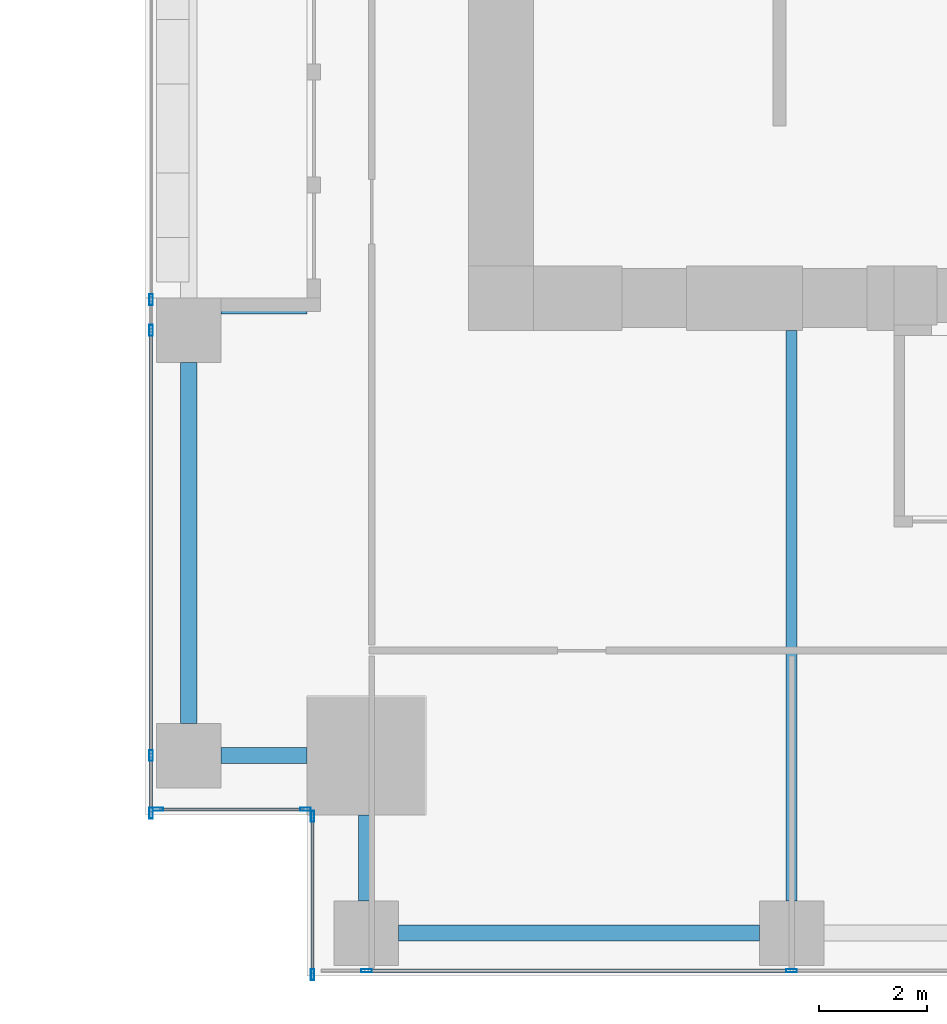
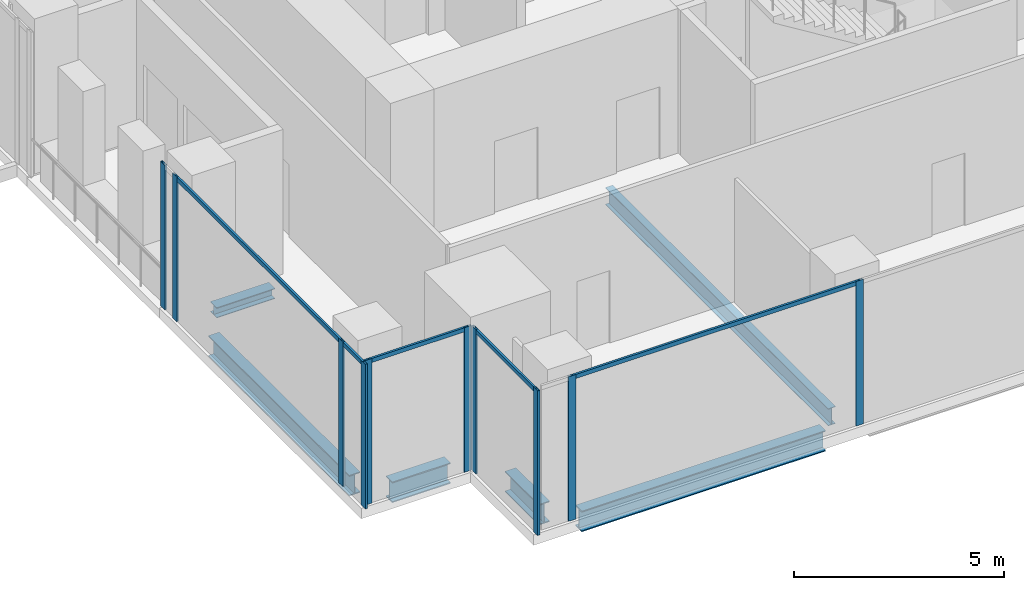
# One storey, part 2 of 33: 15 members, 6 beams, 4 elements without a shape of their own.
"""IFC4 building model written with IfcOpenShell, lengths in metres."""

from ifc_helpers import new_model, si_unit, direction, frame, origin, origin_2d, place, context, subcontext, project, spatial, hollow_rectangle, i_section, extrude, source, transform, mapped, material, material_profile, profile_set, type_object, element, aggregate, save


model = new_model("IFC4")

# Units and contexts
model_context = context("Model", 3, precision=1e-05, world=origin(), true_north=direction((0.0, 1.0)))
body_context = subcontext(model_context, "Body", "Model", "MODEL_VIEW")
ifc_project = project(units=[si_unit("LENGTHUNIT", "METRE"), si_unit("AREAUNIT", "SQUARE_METRE"), si_unit("VOLUMEUNIT", "CUBIC_METRE"), si_unit("PLANEANGLEUNIT", "RADIAN"), si_unit("MASSUNIT", "GRAM", prefix="KILO")], contexts=[model_context])

# Site, building, storey
site_placement = place(None, origin())
site = spatial("IfcSite", under=ifc_project, at=site_placement, CompositionType="ELEMENT")
building_placement = place(site_placement, origin())
building = spatial("IfcBuilding", under=site, at=building_placement, Name="Khomas Fold Tower", CompositionType="ELEMENT")
storey_placement = place(building_placement, frame((0.0, 0.0, 91.5)))
storey = spatial("IfcBuildingStorey", under=building, at=storey_placement, Name="L19", CompositionType="ELEMENT", Elevation=91.5)

# Beams
ifc_material_1 = material(Name="Steel S355", Category="steel")
ifc_material_profile_1 = material_profile(ifc_material_1, i_section(OverallWidth=0.199951171875, OverallDepth=0.5, WebThickness=0.01025390625, FlangeThickness=0.01611328125, at=origin_2d()), Name="IPE 500")
ifc_profile_set_1 = profile_set([ifc_material_profile_1], Name="Steel S355")
beam_type_1 = type_object("IfcBeamType", Name="IPE 500 beam JB5", PredefinedType="BEAM", material=ifc_profile_set_1)
shared_shape_1 = source(origin(), body_context, "Body", "SweptSolid", [
    extrude(i_section(OverallWidth=0.199951171875, OverallDepth=0.5, WebThickness=0.01025390625, FlangeThickness=0.01611328125, at=origin_2d()), origin(), (0.0, 0.0, 1.0), 10.60009765625),
])
beam_1_placement = place(storey_placement, frame((12.0, 1.39990234375, -0.550048828125), z_axis=(0.0, 1.0, 0.0), x_axis=(-1.0, 0.0, 0.0)))
element("IfcBeam", 1, at=beam_1_placement, inside=storey, type_object=beam_type_1, Name="JB5", PredefinedType="BEAM", context=body_context, shape_type="MappedRepresentation", body=[
    mapped(shared_shape_1, transform((0.0, 0.0, 0.0))),
])
ifc_material_2 = material(Name="Steel S355", Category="steel")
ifc_material_profile_2 = material_profile(ifc_material_2, i_section(OverallWidth=0.300048828125, OverallDepth=0.60009765625, WebThickness=0.015380859375, FlangeThickness=0.030029296875, at=origin_2d()), Name="HE 600 B")
ifc_profile_set_2 = profile_set([ifc_material_profile_2], Name="Steel S355")
beam_type_2 = type_object("IfcBeamType", Name="HE 600 B spandrel SB1", PredefinedType="SPANDREL", material=ifc_profile_set_2)
shared_shape_2 = source(origin(), body_context, "Body", "SweptSolid", [
    extrude(i_section(OverallWidth=0.300048828125, OverallDepth=0.60009765625, WebThickness=0.015380859375, FlangeThickness=0.030029296875, at=origin_2d()), origin(), (0.0, 0.0, 1.0), 6.699951171875),
])
for number, where, z_axis, x_axis, name in (
    (2, (4.699951171875, 0.800048828125, -0.60009765625), (1.0, 0.0, 0.0), (0.0, 1.0, 0.0), "SB1"),
    (3, (0.800048828125, 4.699951171875, -0.60009765625), (0.0, 1.0, 0.0), (-1.0, 0.0, 0.0), "SB1"),
):
    element("IfcBeam", number, at=place(storey_placement, frame(where, z_axis=z_axis, x_axis=x_axis)), inside=storey, type_object=beam_type_2, Name=name, PredefinedType="SPANDREL", context=body_context, shape_type="MappedRepresentation", body=[
        mapped(shared_shape_2, transform((0.0, 0.0, 0.0))),
    ])
shared_shape_3 = source(origin(), body_context, "Body", "SweptSolid", [
    extrude(i_section(OverallWidth=0.300048828125, OverallDepth=0.60009765625, WebThickness=0.015380859375, FlangeThickness=0.030029296875, at=origin_2d()), origin(), (0.0, 0.0, 1.0), 1.60009765625),
])
for number, where, z_axis, x_axis, name in (
    (4, (1.39990234375, 4.10009765625, -0.60009765625), (1.0, 0.0, 0.0), (0.0, 1.0, 0.0), "SB1"),
    (5, (4.10009765625, 1.39990234375, -0.60009765625), (0.0, 1.0, 0.0), (-1.0, 0.0, 0.0), "SB1"),
):
    element("IfcBeam", number, at=place(storey_placement, frame(where, z_axis=z_axis, x_axis=x_axis)), inside=storey, type_object=beam_type_2, Name=name, PredefinedType="SPANDREL", context=body_context, shape_type="MappedRepresentation", body=[
        mapped(shared_shape_3, transform((0.0, 0.0, 0.0))),
    ])
ifc_material_3 = material(Name="Steel S355", Category="steel")
ifc_material_profile_3 = material_profile(ifc_material_3, i_section(OverallWidth=0.300048828125, OverallDepth=0.300048828125, WebThickness=0.010986328125, FlangeThickness=0.01904296875, at=origin_2d()), Name="HE 300 B")
ifc_profile_set_3 = profile_set([ifc_material_profile_3], Name="Steel S355")
beam_type_3 = type_object("IfcBeamType", Name="HE 300 B beam BB1", PredefinedType="BEAM", material=ifc_profile_set_3)
shared_shape_4 = source(origin(), body_context, "Body", "SweptSolid", [
    extrude(i_section(OverallWidth=0.300048828125, OverallDepth=0.300048828125, WebThickness=0.010986328125, FlangeThickness=0.01904296875, at=origin_2d()), origin(), (0.0, 0.0, 1.0), 1.60009765625),
])
beam_2_placement = place(storey_placement, frame((1.39990234375, 12.449951171875, -0.449951171875), z_axis=(1.0, 0.0, 0.0), x_axis=(0.0, 1.0, 0.0)))
element("IfcBeam", 6, at=beam_2_placement, inside=storey, type_object=beam_type_3, Name="BB1", PredefinedType="BEAM", context=body_context, shape_type="MappedRepresentation", body=[
    mapped(shared_shape_4, transform((0.0, 0.0, 0.0))),
])

# Curtain wall, member
ifc_material_4 = material(Name="Aluminium framed double glazing", Category="aluminium")
curtain_wall_type = type_object("IfcCurtainWallType", Name="SK-Unitised clear-glass wall, growing floors CW1", PredefinedType="NOTDEFINED", material=ifc_material_4)
curtain_wall_1_placement = place(storey_placement, origin())
curtain_wall_1 = element("IfcCurtainWall", 7, at=curtain_wall_1_placement, inside=storey, type_object=curtain_wall_type, Name="CW1 run L19 00-0", PredefinedType="NOTDEFINED")
ifc_material_5 = material(Name="Aluminium", Category="aluminium")
ifc_material_profile_4 = material_profile(ifc_material_5, hollow_rectangle(XDim=0.06005859375, YDim=0.1201171875, WallThickness=0.00390625, at=origin_2d()), Name="SK-Unitised clear-glass wall, growing floors transom CW1-T")
ifc_profile_set_4 = profile_set([ifc_material_profile_4], Name="Aluminium")
member_type_1 = type_object("IfcMemberType", Name="SK-Unitised clear-glass wall, growing floors transom CW1-T", PredefinedType="USERDEFINED", material=ifc_profile_set_4)
shared_shape_5 = source(origin(), body_context, "Body", "SweptSolid", [
    extrude(hollow_rectangle(XDim=0.06005859375, YDim=0.1201171875, WallThickness=0.00390625, at=origin_2d()), origin(), (0.0, 0.0, 1.0), 7.840087890625),
])
member_1_placement = place(storey_placement, frame((4.1298828125, 0.10009765625, 4.139892578125), z_axis=(1.0, 0.0, 0.0), x_axis=(0.0, 1.0, 0.0)))
member_1 = element("IfcMember", 8, at=member_1_placement, type_object=member_type_1, Name="CW1 transom 2", ObjectType="TRANSOM", PredefinedType="USERDEFINED", context=body_context, shape_type="MappedRepresentation", body=[
    mapped(shared_shape_5, transform((0.0, 0.0, 0.0))),
])

# Curtain wall, members
curtain_wall_2_placement = place(storey_placement, origin())
curtain_wall_2 = element("IfcCurtainWall", 9, at=curtain_wall_2_placement, inside=storey, type_object=curtain_wall_type, Name="CW1 run L19 09-1", PredefinedType="NOTDEFINED")
member_2_placement = place(storey_placement, frame((0.10009765625, 11.969970703125, 4.139892578125), z_axis=(0.0, -1.0, 0.0), x_axis=(1.0, 0.0, 0.0)))
member_2 = element("IfcMember", 10, at=member_2_placement, type_object=member_type_1, Name="CW1 transom 2", ObjectType="TRANSOM", PredefinedType="USERDEFINED", context=body_context, shape_type="MappedRepresentation", body=[
    mapped(shared_shape_5, transform((0.0, 0.0, 0.0))),
])
shared_shape_6 = source(origin(), body_context, "Body", "SweptSolid", [
    extrude(hollow_rectangle(XDim=0.06005859375, YDim=0.1201171875, WallThickness=0.00390625, at=origin_2d()), origin(), (0.0, 0.0, 1.0), 1.010009765625),
])
member_3_placement = place(storey_placement, frame((0.10009765625, 4.070068359375, 4.139892578125), z_axis=(0.0, -1.0, 0.0), x_axis=(1.0, 0.0, 0.0)))
member_3 = element("IfcMember", 11, at=member_3_placement, type_object=member_type_1, Name="CW1 transom 3", ObjectType="TRANSOM", PredefinedType="USERDEFINED", context=body_context, shape_type="MappedRepresentation", body=[
    mapped(shared_shape_6, transform((0.0, 0.0, 0.0))),
])

# Curtain wall, member
curtain_wall_3_placement = place(storey_placement, origin())
curtain_wall_3 = element("IfcCurtainWall", 12, at=curtain_wall_3_placement, inside=storey, type_object=curtain_wall_type, Name="CW1 corner return L19 10", PredefinedType="NOTDEFINED")
shared_shape_7 = source(origin(), body_context, "Body", "SweptSolid", [
    extrude(hollow_rectangle(XDim=0.06005859375, YDim=0.1201171875, WallThickness=0.00390625, at=origin_2d()), origin(), (0.0, 0.0, 1.0), 2.679931640625),
])
member_4_placement = place(storey_placement, frame((0.260009765625, 3.10009765625, 4.139892578125), z_axis=(1.0, 0.0, 0.0), x_axis=(0.0, 1.0, 0.0)))
member_4 = element("IfcMember", 13, at=member_4_placement, type_object=member_type_1, Name="CW1 transom 1", ObjectType="TRANSOM", PredefinedType="USERDEFINED", context=body_context, shape_type="MappedRepresentation", body=[
    mapped(shared_shape_7, transform((0.0, 0.0, 0.0))),
])

curtain_wall_4_placement = place(storey_placement, origin())
curtain_wall_4 = element("IfcCurtainWall", 14, at=curtain_wall_4_placement, inside=storey, type_object=curtain_wall_type, Name="CW1 corner return L19 11", PredefinedType="NOTDEFINED")
shared_shape_8 = source(origin(), body_context, "Body", "SweptSolid", [
    extrude(hollow_rectangle(XDim=0.06005859375, YDim=0.1201171875, WallThickness=0.00390625, at=origin_2d()), origin(), (0.0, 0.0, 1.0), 2.8798828125),
])
member_5_placement = place(storey_placement, frame((3.10009765625, 2.93994140625, 4.139892578125), z_axis=(0.0, -1.0, 0.0), x_axis=(1.0, 0.0, 0.0)))
member_5 = element("IfcMember", 15, at=member_5_placement, type_object=member_type_1, Name="CW1 transom 1", ObjectType="TRANSOM", PredefinedType="USERDEFINED", context=body_context, shape_type="MappedRepresentation", body=[
    mapped(shared_shape_8, transform((0.0, 0.0, 0.0))),
])

# Member
ifc_material_6 = material(Name="Aluminium", Category="aluminium")
ifc_material_profile_5 = material_profile(ifc_material_6, hollow_rectangle(XDim=0.06005859375, YDim=0.199951171875, WallThickness=0.00390625, at=origin_2d()), Name="SK-Unitised clear-glass wall, growing floors mullion CW1-M")
ifc_profile_set_5 = profile_set([ifc_material_profile_5], Name="Aluminium")
member_type_2 = type_object("IfcMemberType", Name="SK-Unitised clear-glass wall, growing floors mullion CW1-M", PredefinedType="MULLION", material=ifc_profile_set_5)
shared_shape_9 = source(origin(), body_context, "Body", "SweptSolid", [
    extrude(hollow_rectangle(XDim=0.06005859375, YDim=0.199951171875, WallThickness=0.00390625, at=origin_2d()), origin(), (0.0, 0.0, 1.0), 4.199951171875),
])
member_6_placement = place(storey_placement, frame((4.10009765625, 0.10009765625, 0.0), z_axis=(0.0, 0.0, 1.0), x_axis=(0.0, 1.0, 0.0)))
member_6 = element("IfcMember", 16, at=member_6_placement, type_object=member_type_2, Name="CW1 mullion 2", PredefinedType="MULLION", context=body_context, shape_type="MappedRepresentation", body=[
    mapped(shared_shape_9, transform((0.0, 0.0, 0.0))),
])

member_7_placement = place(storey_placement, frame((12.0, 0.10009765625, 0.0), z_axis=(0.0, 0.0, 1.0), x_axis=(0.0, 1.0, 0.0)))
member_7 = element("IfcMember", 17, at=member_7_placement, type_object=member_type_2, Name="CW1 mullion 3", PredefinedType="MULLION", context=body_context, shape_type="MappedRepresentation", body=[
    mapped(shared_shape_9, transform((0.0, 0.0, 0.0))),
])

aggregate(curtain_wall_1, [member_6, member_7, member_1])

member_8_placement = place(storey_placement, frame((0.10009765625, 12.570068359375, 0.0), z_axis=(0.0, 0.0, 1.0), x_axis=(1.0, 0.0, 0.0)))
member_8 = element("IfcMember", 18, at=member_8_placement, type_object=member_type_2, Name="CW1 mullion 1", PredefinedType="MULLION", context=body_context, shape_type="MappedRepresentation", body=[
    mapped(shared_shape_9, transform((0.0, 0.0, 0.0))),
])

member_9_placement = place(storey_placement, frame((0.10009765625, 12.0, 0.0), z_axis=(0.0, 0.0, 1.0), x_axis=(1.0, 0.0, 0.0)))
member_9 = element("IfcMember", 19, at=member_9_placement, type_object=member_type_2, Name="CW1 mullion 2", PredefinedType="MULLION", context=body_context, shape_type="MappedRepresentation", body=[
    mapped(shared_shape_9, transform((0.0, 0.0, 0.0))),
])

member_10_placement = place(storey_placement, frame((0.10009765625, 4.10009765625, 0.0), z_axis=(0.0, 0.0, 1.0), x_axis=(1.0, 0.0, 0.0)))
member_10 = element("IfcMember", 20, at=member_10_placement, type_object=member_type_2, Name="CW1 mullion 3", PredefinedType="MULLION", context=body_context, shape_type="MappedRepresentation", body=[
    mapped(shared_shape_9, transform((0.0, 0.0, 0.0))),
])

member_11_placement = place(storey_placement, frame((0.10009765625, 3.030029296875, 0.0), z_axis=(0.0, 0.0, 1.0), x_axis=(1.0, 0.0, 0.0)))
member_11 = element("IfcMember", 21, at=member_11_placement, type_object=member_type_2, Name="CW1 mullion 4", PredefinedType="MULLION", context=body_context, shape_type="MappedRepresentation", body=[
    mapped(shared_shape_9, transform((0.0, 0.0, 0.0))),
])

aggregate(curtain_wall_2, [member_8, member_9, member_10, member_11, member_2, member_3])

member_12_placement = place(storey_placement, frame((0.22998046875, 3.10009765625, 0.0), z_axis=(0.0, 0.0, 1.0), x_axis=(0.0, 1.0, 0.0)))
member_12 = element("IfcMember", 22, at=member_12_placement, type_object=member_type_2, Name="CW1 mullion 1", PredefinedType="MULLION", context=body_context, shape_type="MappedRepresentation", body=[
    mapped(shared_shape_9, transform((0.0, 0.0, 0.0))),
])

member_13_placement = place(storey_placement, frame((2.969970703125, 3.10009765625, 0.0), z_axis=(0.0, 0.0, 1.0), x_axis=(0.0, 1.0, 0.0)))
member_13 = element("IfcMember", 23, at=member_13_placement, type_object=member_type_2, Name="CW1 mullion 2", PredefinedType="MULLION", context=body_context, shape_type="MappedRepresentation", body=[
    mapped(shared_shape_9, transform((0.0, 0.0, 0.0))),
])

aggregate(curtain_wall_3, [member_12, member_13, member_4])

member_14_placement = place(storey_placement, frame((3.10009765625, 2.969970703125, 0.0), z_axis=(0.0, 0.0, 1.0), x_axis=(1.0, 0.0, 0.0)))
member_14 = element("IfcMember", 24, at=member_14_placement, type_object=member_type_2, Name="CW1 mullion 1", PredefinedType="MULLION", context=body_context, shape_type="MappedRepresentation", body=[
    mapped(shared_shape_9, transform((0.0, 0.0, 0.0))),
])

member_15_placement = place(storey_placement, frame((3.10009765625, 0.030029296875, 0.0), z_axis=(0.0, 0.0, 1.0), x_axis=(1.0, 0.0, 0.0)))
member_15 = element("IfcMember", 25, at=member_15_placement, type_object=member_type_2, Name="CW1 mullion 2", PredefinedType="MULLION", context=body_context, shape_type="MappedRepresentation", body=[
    mapped(shared_shape_9, transform((0.0, 0.0, 0.0))),
])

aggregate(curtain_wall_4, [member_14, member_15, member_5])

save(model, "model.ifc")
